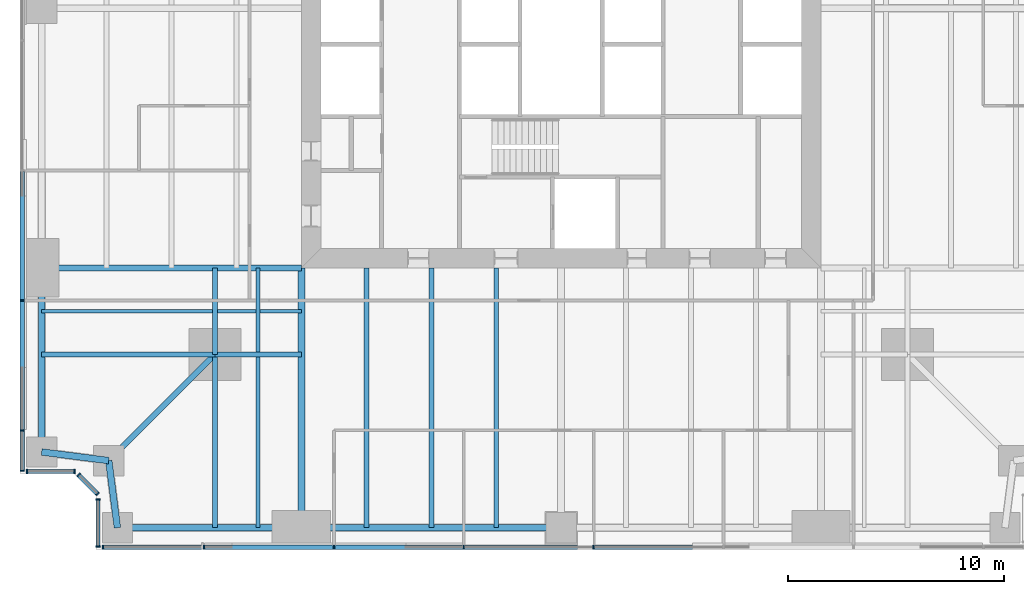
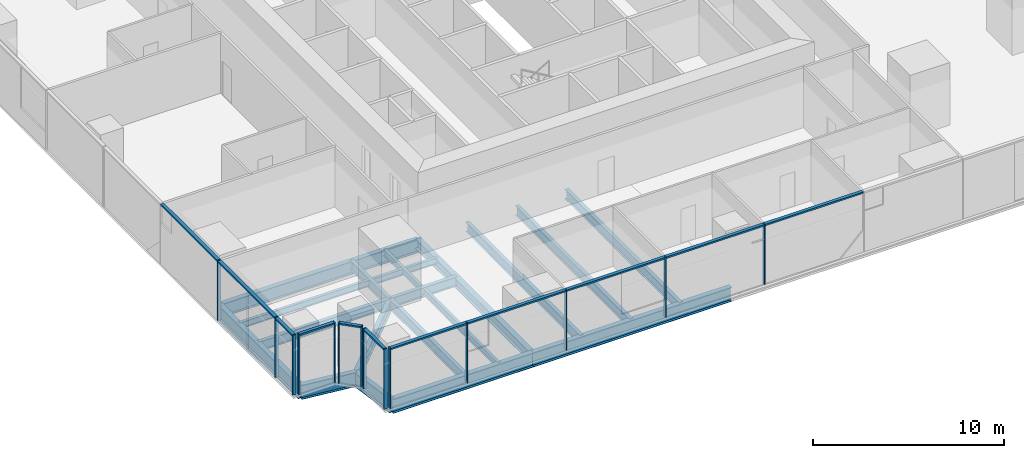
# One storey, part 2 of 16: 25 members, 20 beams, 5 elements without a shape of their own.
"""IFC4 building model written with IfcOpenShell, lengths in metres."""

from ifc_helpers import new_model, si_unit, direction, frame, origin, origin_2d, place, context, subcontext, project, spatial, rectangle, i_section, extrude, material, material_profile, profile_set, type_object, element, aggregate, save


model = new_model("IFC4")

# Units and contexts
model_context = context("Model", 3, precision=1e-05, world=origin(), true_north=direction((0.0, 1.0)))
body_context = subcontext(model_context, "Body", "Model", "MODEL_VIEW")
ifc_project = project(units=[si_unit("LENGTHUNIT", "METRE"), si_unit("AREAUNIT", "SQUARE_METRE"), si_unit("VOLUMEUNIT", "CUBIC_METRE"), si_unit("PLANEANGLEUNIT", "RADIAN"), si_unit("MASSUNIT", "GRAM", prefix="KILO")], contexts=[model_context])

# Site, building, storey
site_placement = place(None, origin())
site = spatial("IfcSite", under=ifc_project, at=site_placement, CompositionType="ELEMENT")
building_placement = place(site_placement, origin())
building = spatial("IfcBuilding", under=site, at=building_placement, Name="Fenwick Lantern Interchange", CompositionType="ELEMENT")
storey_placement = place(building_placement, frame((0.0, 0.0, 75.0)))
storey = spatial("IfcBuildingStorey", under=building, at=storey_placement, Name="L17", CompositionType="ELEMENT", Elevation=75.0)

# Beams
ifc_material_1 = material(Name="Steel ASTM A992 Grade 50", Category="steel")
ifc_material_profile_1 = material_profile(ifc_material_1, i_section(OverallWidth=0.3046875, OverallDepth=0.911865234375, WebThickness=0.015869140625, FlangeThickness=0.02392578125, at=origin_2d()), Name="W36X150")
ifc_profile_set_1 = profile_set([ifc_material_profile_1], Name="Steel ASTM A992 Grade 50")
beam_type_1 = type_object("IfcBeamType", Name="EDGE BEAM W36X150", PredefinedType="SPANDREL", material=ifc_profile_set_1)
beam_1_placement = place(storey_placement, frame((4.5, 1.0, -0.60595703125), z_axis=(1.0, 0.0, 0.0), x_axis=(0.0, 1.0, 0.0)))
element("IfcBeam", 1, at=beam_1_placement, inside=storey, type_object=beam_type_1, Name="L17/FR/S/EB1", PredefinedType="SPANDREL", context=body_context, shape_type="SweptSolid", body=[
    extrude(i_section(OverallWidth=0.3046875, OverallDepth=0.911865234375, WebThickness=0.015869140625, FlangeThickness=0.02392578125, at=origin_2d()), origin(), (0.0, 0.0, 1.0), 8.5),
])
beam_2_placement = place(storey_placement, frame((13.0, 1.0, -0.60595703125), z_axis=(1.0, 0.0, 0.0), x_axis=(0.0, 1.0, 0.0)))
element("IfcBeam", 2, at=beam_2_placement, inside=storey, type_object=beam_type_1, Name="L17/FR/S/EB2", PredefinedType="SPANDREL", context=body_context, shape_type="SweptSolid", body=[
    extrude(i_section(OverallWidth=0.3046875, OverallDepth=0.911865234375, WebThickness=0.015869140625, FlangeThickness=0.02392578125, at=origin_2d()), origin(), (0.0, 0.0, 1.0), 12.0),
])
beam_3_placement = place(storey_placement, frame((1.0, 13.0, -0.60595703125), z_axis=(0.0, -1.0, 0.0), x_axis=(1.0, 0.0, 0.0)))
element("IfcBeam", 3, at=beam_3_placement, inside=storey, type_object=beam_type_1, Name="L17/FR/W/EB4", PredefinedType="SPANDREL", context=body_context, shape_type="SweptSolid", body=[
    extrude(i_section(OverallWidth=0.3046875, OverallDepth=0.911865234375, WebThickness=0.015869140625, FlangeThickness=0.02392578125, at=origin_2d()), origin(), (0.0, 0.0, 1.0), 8.5),
])
for number, where, z_axis, x_axis, name in (
    (4, (1.0, 4.5, -0.60595703125), (0.991782342897, -0.127936641807, 0.0), (0.127936641807, 0.991782342897, 0.0), "L17/FR/W/EBR1"),
    (5, (4.10009765625, 4.10009765625, -0.60595703125), (0.127936641807, -0.991782342897, 0.0), (0.991782342897, 0.127936641807, 0.0), "L17/FR/W/EBR2"),
):
    element("IfcBeam", number, at=place(storey_placement, frame(where, z_axis=z_axis, x_axis=x_axis)), inside=storey, type_object=beam_type_1, Name=name, PredefinedType="SPANDREL", context=body_context, shape_type="SweptSolid", body=[
        extrude(i_section(OverallWidth=0.3046875, OverallDepth=0.911865234375, WebThickness=0.015869140625, FlangeThickness=0.02392578125, at=origin_2d()), origin(), (0.0, 0.0, 1.0), 3.125732421875),
    ])
ifc_material_profile_2 = material_profile(ifc_material_1, i_section(OverallWidth=0.22900390625, OverallDepth=0.612060546875, WebThickness=0.011962890625, FlangeThickness=0.01953125, at=origin_2d()), Name="W24X84")
ifc_profile_set_2 = profile_set([ifc_material_profile_2], Name="Steel ASTM A992 Grade 50")
beam_type_2 = type_object("IfcBeamType", Name="FLOOR BEAM W24X84", PredefinedType="BEAM", material=ifc_profile_set_2)
for number, where, z_axis, x_axis, name in (
    (6, (16.0, 1.0, -0.4560546875), (0.0, 1.0, 0.0), (-1.0, 0.0, 0.0), "L17/FR/S/R02"),
    (7, (19.0, 1.0, -0.4560546875), (0.0, 1.0, 0.0), (-1.0, 0.0, 0.0), "L17/FR/S/R03"),
    (8, (22.0, 1.0, -0.4560546875), (0.0, 1.0, 0.0), (-1.0, 0.0, 0.0), "L17/FR/S/R04"),
):
    element("IfcBeam", number, at=place(storey_placement, frame(where, z_axis=z_axis, x_axis=x_axis)), inside=storey, type_object=beam_type_2, Name=name, PredefinedType="BEAM", context=body_context, shape_type="SweptSolid", body=[
        extrude(i_section(OverallWidth=0.22900390625, OverallDepth=0.612060546875, WebThickness=0.011962890625, FlangeThickness=0.01953125, at=origin_2d()), origin(), (0.0, 0.0, 1.0), 12.0),
    ])
ifc_material_profile_3 = material_profile(ifc_material_1, i_section(OverallWidth=0.177734375, OverallDepth=0.406494140625, WebThickness=0.0078125, FlangeThickness=0.012939453125, at=origin_2d()), Name="W16X40")
ifc_profile_set_3 = profile_set([ifc_material_profile_3], Name="Steel ASTM A992 Grade 50")
beam_type_3 = type_object("IfcBeamType", Name="INFILL BEAM W16X40", PredefinedType="JOIST", material=ifc_profile_set_3)
beam_4_placement = place(storey_placement, frame((11.0, 1.0, -0.353271484375), z_axis=(0.0, 1.0, 0.0), x_axis=(-1.0, 0.0, 0.0)))
element("IfcBeam", 9, at=beam_4_placement, inside=storey, type_object=beam_type_3, Name="L17/FR/S/J1", PredefinedType="JOIST", context=body_context, shape_type="SweptSolid", body=[
    extrude(i_section(OverallWidth=0.177734375, OverallDepth=0.406494140625, WebThickness=0.0078125, FlangeThickness=0.012939453125, at=origin_2d()), origin(), (0.0, 0.0, 1.0), 7.885498046875),
])
beam_5_placement = place(storey_placement, frame((11.0, 9.114501953125, -0.353271484375), z_axis=(0.0, 1.0, 0.0), x_axis=(-1.0, 0.0, 0.0)))
element("IfcBeam", 10, at=beam_5_placement, inside=storey, type_object=beam_type_3, Name="L17/FR/S/J2", PredefinedType="JOIST", context=body_context, shape_type="SweptSolid", body=[
    extrude(i_section(OverallWidth=0.177734375, OverallDepth=0.406494140625, WebThickness=0.0078125, FlangeThickness=0.012939453125, at=origin_2d()), origin(), (0.0, 0.0, 1.0), 3.885498046875),
])
beam_6_placement = place(storey_placement, frame((1.0, 11.0, -0.353271484375), z_axis=(1.0, 0.0, 0.0), x_axis=(0.0, 1.0, 0.0)))
element("IfcBeam", 11, at=beam_6_placement, inside=storey, type_object=beam_type_3, Name="L17/FR/S/J3", PredefinedType="JOIST", context=body_context, shape_type="SweptSolid", body=[
    extrude(i_section(OverallWidth=0.177734375, OverallDepth=0.406494140625, WebThickness=0.0078125, FlangeThickness=0.012939453125, at=origin_2d()), origin(), (0.0, 0.0, 1.0), 7.885498046875),
])
beam_7_placement = place(storey_placement, frame((9.114501953125, 11.0, -0.353271484375), z_axis=(1.0, 0.0, 0.0), x_axis=(0.0, 1.0, 0.0)))
element("IfcBeam", 12, at=beam_7_placement, inside=storey, type_object=beam_type_3, Name="L17/FR/S/J4", PredefinedType="JOIST", context=body_context, shape_type="SweptSolid", body=[
    extrude(i_section(OverallWidth=0.177734375, OverallDepth=0.406494140625, WebThickness=0.0078125, FlangeThickness=0.012939453125, at=origin_2d()), origin(), (0.0, 0.0, 1.0), 1.796630859375),
])
beam_8_placement = place(storey_placement, frame((11.0888671875, 11.0, -0.353271484375), z_axis=(1.0, 0.0, 0.0), x_axis=(0.0, 1.0, 0.0)))
element("IfcBeam", 13, at=beam_8_placement, inside=storey, type_object=beam_type_3, Name="L17/FR/S/J5", PredefinedType="JOIST", context=body_context, shape_type="SweptSolid", body=[
    extrude(i_section(OverallWidth=0.177734375, OverallDepth=0.406494140625, WebThickness=0.0078125, FlangeThickness=0.012939453125, at=origin_2d()), origin(), (0.0, 0.0, 1.0), 1.9111328125),
])
ifc_material_profile_4 = material_profile(ifc_material_1, i_section(OverallWidth=0.22900390625, OverallDepth=0.612060546875, WebThickness=0.011962890625, FlangeThickness=0.01953125, at=origin_2d()), Name="W24X84")
ifc_profile_set_4 = profile_set([ifc_material_profile_4], Name="Steel ASTM A992 Grade 50")
beam_type_4 = type_object("IfcBeamType", Name="MEGA COLUMN BEAM W24X84", PredefinedType="BEAM", material=ifc_profile_set_4)
for number, where, z_axis, x_axis, name in (
    (14, (9.0, 9.0, -0.4560546875), (0.0, -1.0, 0.0), (1.0, 0.0, 0.0), "L17/FR/S/MB1"),
    (15, (9.0, 9.0, -0.4560546875), (-1.0, 0.0, 0.0), (0.0, -1.0, 0.0), "L17/FR/S/MB2"),
):
    element("IfcBeam", number, at=place(storey_placement, frame(where, z_axis=z_axis, x_axis=x_axis)), inside=storey, type_object=beam_type_4, Name=name, PredefinedType="BEAM", context=body_context, shape_type="SweptSolid", body=[
        extrude(i_section(OverallWidth=0.22900390625, OverallDepth=0.612060546875, WebThickness=0.011962890625, FlangeThickness=0.01953125, at=origin_2d()), origin(), (0.0, 0.0, 1.0), 8.0),
    ])
for number, where, z_axis, x_axis, name in (
    (16, (9.0, 9.0, -0.4560546875), (1.0, 0.0, 0.0), (0.0, 1.0, 0.0), "L17/FR/S/MB3"),
    (17, (9.0, 9.0, -0.4560546875), (0.0, 1.0, 0.0), (-1.0, 0.0, 0.0), "L17/FR/S/MB4"),
):
    element("IfcBeam", number, at=place(storey_placement, frame(where, z_axis=z_axis, x_axis=x_axis)), inside=storey, type_object=beam_type_4, Name=name, PredefinedType="BEAM", context=body_context, shape_type="SweptSolid", body=[
        extrude(i_section(OverallWidth=0.22900390625, OverallDepth=0.612060546875, WebThickness=0.011962890625, FlangeThickness=0.01953125, at=origin_2d()), origin(), (0.0, 0.0, 1.0), 4.0),
    ])
ifc_material_profile_5 = material_profile(ifc_material_1, i_section(OverallWidth=0.32763671875, OverallDepth=0.622314453125, WebThickness=0.015380859375, FlangeThickness=0.0244140625, at=origin_2d()), Name="W24X131")
ifc_profile_set_5 = profile_set([ifc_material_profile_5], Name="Steel ASTM A992 Grade 50")
beam_type_5 = type_object("IfcBeamType", Name="MOMENT-CONNECTED GIRDER W24X131", PredefinedType="BEAM", material=ifc_profile_set_5)
beam_9_placement = place(storey_placement, frame((13.0, 1.0, -0.461181640625), z_axis=(0.0, 1.0, 0.0), x_axis=(-1.0, 0.0, 0.0)))
element("IfcBeam", 18, at=beam_9_placement, inside=storey, type_object=beam_type_5, Name="L17/FR/S/R01", PredefinedType="BEAM", context=body_context, shape_type="SweptSolid", body=[
    extrude(i_section(OverallWidth=0.32763671875, OverallDepth=0.622314453125, WebThickness=0.015380859375, FlangeThickness=0.0244140625, at=origin_2d()), origin(), (0.0, 0.0, 1.0), 12.0),
])
ifc_material_profile_6 = material_profile(ifc_material_1, i_section(OverallWidth=0.2919921875, OverallDepth=0.845703125, WebThickness=0.015380859375, FlangeThickness=0.0244140625, at=origin_2d()), Name="W33X141")
ifc_profile_set_6 = profile_set([ifc_material_profile_6], Name="Steel ASTM A992 Grade 50")
beam_type_6 = type_object("IfcBeamType", Name="MOMENT-CONNECTED GIRDER W33X141", PredefinedType="BEAM", material=ifc_profile_set_6)
beam_10_placement = place(storey_placement, frame((1.0, 13.0, -0.572998046875), z_axis=(1.0, 0.0, 0.0), x_axis=(0.0, 1.0, 0.0)))
element("IfcBeam", 19, at=beam_10_placement, inside=storey, type_object=beam_type_6, Name="L17/FR/W/R03", PredefinedType="BEAM", context=body_context, shape_type="SweptSolid", body=[
    extrude(i_section(OverallWidth=0.2919921875, OverallDepth=0.845703125, WebThickness=0.015380859375, FlangeThickness=0.0244140625, at=origin_2d()), origin(), (0.0, 0.0, 1.0), 12.0),
])
ifc_material_profile_7 = material_profile(ifc_material_1, i_section(OverallWidth=0.2666015625, OverallDepth=0.7568359375, WebThickness=0.013916015625, FlangeThickness=0.019287109375, at=origin_2d()), Name="W30X108")
ifc_profile_set_7 = profile_set([ifc_material_profile_7], Name="Steel ASTM A992 Grade 50")
beam_type_7 = type_object("IfcBeamType", Name="NOTCH BEAM W30X108", PredefinedType="BEAM", material=ifc_profile_set_7)
beam_11_placement = place(storey_placement, frame((9.0, 9.0, -0.528564453125), z_axis=(-0.707106781187, -0.707106781187, 0.0), x_axis=(0.707106781187, -0.707106781187, 0.0)))
element("IfcBeam", 20, at=beam_11_placement, inside=storey, type_object=beam_type_7, Name="L17/FR/S/TG", PredefinedType="BEAM", context=body_context, shape_type="SweptSolid", body=[
    extrude(i_section(OverallWidth=0.2666015625, OverallDepth=0.7568359375, WebThickness=0.013916015625, FlangeThickness=0.019287109375, at=origin_2d()), origin(), (0.0, 0.0, 1.0), 6.929443359375),
])

# Curtain wall, members
ifc_material_2 = material(Name="Aluminium curtain wall frame", Category="aluminium")
curtain_wall_type = type_object("IfcCurtainWallType", Name="OFFICE CURTAIN WALL", PredefinedType="USERDEFINED", material=ifc_material_2)
curtain_wall_1_placement = place(storey_placement, origin())
curtain_wall_1 = element("IfcCurtainWall", 21, at=curtain_wall_1_placement, inside=storey, type_object=curtain_wall_type, Name="Office curtain wall 01", ObjectType="OFFICE CURTAIN WALL", PredefinedType="USERDEFINED")
ifc_material_3 = material(Name="Aluminium extrusion", Category="aluminium")
ifc_material_profile_8 = material_profile(ifc_material_3, rectangle(XDim=0.199951171875, YDim=0.06494140625, at=origin_2d()), Name="OFFICE CURTAIN WALL MULLION 65 X 200")
ifc_profile_set_8 = profile_set([ifc_material_profile_8], Name="Aluminium extrusion")
member_type_1 = type_object("IfcMemberType", Name="OFFICE CURTAIN WALL MULLION 65 X 200", PredefinedType="MULLION", material=ifc_profile_set_8)
member_1_placement = place(storey_placement, frame((3.83251953125, 0.10009765625, 0.0), z_axis=(0.0, 0.0, 1.0), x_axis=(0.0, 1.0, 0.0)))
member_1 = element("IfcMember", 22, at=member_1_placement, type_object=member_type_1, Name="L17/CW/01/M00", PredefinedType="MULLION", context=body_context, shape_type="SweptSolid", body=[
    extrude(rectangle(XDim=0.199951171875, YDim=0.06494140625, at=origin_2d()), origin(), (0.0, 0.0, 1.0), 3.85009765625),
])
member_2_placement = place(storey_placement, frame((8.5, 0.10009765625, 0.0), z_axis=(0.0, 0.0, 1.0), x_axis=(0.0, 1.0, 0.0)))
member_2 = element("IfcMember", 23, at=member_2_placement, type_object=member_type_1, Name="L17/CW/01/M01", PredefinedType="MULLION", context=body_context, shape_type="SweptSolid", body=[
    extrude(rectangle(XDim=0.199951171875, YDim=0.06494140625, at=origin_2d()), origin(), (0.0, 0.0, 1.0), 3.85009765625),
])
member_3_placement = place(storey_placement, frame((14.5, 0.10009765625, 0.0), z_axis=(0.0, 0.0, 1.0), x_axis=(0.0, 1.0, 0.0)))
member_3 = element("IfcMember", 24, at=member_3_placement, type_object=member_type_1, Name="L17/CW/01/M02", PredefinedType="MULLION", context=body_context, shape_type="SweptSolid", body=[
    extrude(rectangle(XDim=0.199951171875, YDim=0.06494140625, at=origin_2d()), origin(), (0.0, 0.0, 1.0), 3.85009765625),
])
member_4_placement = place(storey_placement, frame((20.5, 0.10009765625, 0.0), z_axis=(0.0, 0.0, 1.0), x_axis=(0.0, 1.0, 0.0)))
member_4 = element("IfcMember", 25, at=member_4_placement, type_object=member_type_1, Name="L17/CW/01/M03", PredefinedType="MULLION", context=body_context, shape_type="SweptSolid", body=[
    extrude(rectangle(XDim=0.199951171875, YDim=0.06494140625, at=origin_2d()), origin(), (0.0, 0.0, 1.0), 3.85009765625),
])
member_5_placement = place(storey_placement, frame((26.5, 0.10009765625, 0.0), z_axis=(0.0, 0.0, 1.0), x_axis=(0.0, 1.0, 0.0)))
member_5 = element("IfcMember", 26, at=member_5_placement, type_object=member_type_1, Name="L17/CW/01/M04", PredefinedType="MULLION", context=body_context, shape_type="SweptSolid", body=[
    extrude(rectangle(XDim=0.199951171875, YDim=0.06494140625, at=origin_2d()), origin(), (0.0, 0.0, 1.0), 3.85009765625),
])

curtain_wall_2_placement = place(storey_placement, origin())
curtain_wall_2 = element("IfcCurtainWall", 27, at=curtain_wall_2_placement, inside=storey, type_object=curtain_wall_type, Name="Office curtain wall 13", ObjectType="OFFICE CURTAIN WALL", PredefinedType="USERDEFINED")
member_6_placement = place(storey_placement, frame((0.10009765625, 11.5, 0.0), z_axis=(0.0, 0.0, 1.0), x_axis=(1.0, 0.0, 0.0)))
member_6 = element("IfcMember", 28, at=member_6_placement, type_object=member_type_1, Name="L17/CW/13/M06", PredefinedType="MULLION", context=body_context, shape_type="SweptSolid", body=[
    extrude(rectangle(XDim=0.199951171875, YDim=0.06494140625, at=origin_2d()), origin(), (0.0, 0.0, 1.0), 3.85009765625),
])
member_7_placement = place(storey_placement, frame((0.10009765625, 5.5, 0.0), z_axis=(0.0, 0.0, 1.0), x_axis=(1.0, 0.0, 0.0)))
member_7 = element("IfcMember", 29, at=member_7_placement, type_object=member_type_1, Name="L17/CW/13/M07", PredefinedType="MULLION", context=body_context, shape_type="SweptSolid", body=[
    extrude(rectangle(XDim=0.199951171875, YDim=0.06494140625, at=origin_2d()), origin(), (0.0, 0.0, 1.0), 3.85009765625),
])
member_8_placement = place(storey_placement, frame((0.10009765625, 3.632568359375, 0.0), z_axis=(0.0, 0.0, 1.0), x_axis=(1.0, 0.0, 0.0)))
member_8 = element("IfcMember", 30, at=member_8_placement, type_object=member_type_1, Name="L17/CW/13/M08", PredefinedType="MULLION", context=body_context, shape_type="SweptSolid", body=[
    extrude(rectangle(XDim=0.199951171875, YDim=0.06494140625, at=origin_2d()), origin(), (0.0, 0.0, 1.0), 3.85009765625),
])

curtain_wall_3_placement = place(storey_placement, origin())
curtain_wall_3 = element("IfcCurtainWall", 31, at=curtain_wall_3_placement, inside=storey, type_object=curtain_wall_type, Name="Office curtain wall 14", ObjectType="OFFICE CURTAIN WALL", PredefinedType="USERDEFINED")
member_9_placement = place(storey_placement, frame((0.33251953125, 3.60009765625, 0.0), z_axis=(0.0, 0.0, 1.0), x_axis=(0.0, 1.0, 0.0)))
member_9 = element("IfcMember", 32, at=member_9_placement, type_object=member_type_1, Name="L17/CW/14/M00", PredefinedType="MULLION", context=body_context, shape_type="SweptSolid", body=[
    extrude(rectangle(XDim=0.199951171875, YDim=0.06494140625, at=origin_2d()), origin(), (0.0, 0.0, 1.0), 3.85009765625),
])
member_10_placement = place(storey_placement, frame((2.509033203125, 3.60009765625, 0.0), z_axis=(0.0, 0.0, 1.0), x_axis=(0.0, 1.0, 0.0)))
member_10 = element("IfcMember", 33, at=member_10_placement, type_object=member_type_1, Name="L17/CW/14/M01", PredefinedType="MULLION", context=body_context, shape_type="SweptSolid", body=[
    extrude(rectangle(XDim=0.199951171875, YDim=0.06494140625, at=origin_2d()), origin(), (0.0, 0.0, 1.0), 3.85009765625),
])

curtain_wall_4_placement = place(storey_placement, origin())
curtain_wall_4 = element("IfcCurtainWall", 34, at=curtain_wall_4_placement, inside=storey, type_object=curtain_wall_type, Name="Office curtain wall 15", ObjectType="OFFICE CURTAIN WALL", PredefinedType="USERDEFINED")
member_11_placement = place(storey_placement, frame((2.705810546875, 3.435546875, 0.0), z_axis=(0.0, 0.0, 1.0), x_axis=(0.707106781187, 0.707106781187, 0.0)))
member_11 = element("IfcMember", 35, at=member_11_placement, type_object=member_type_1, Name="L17/CW/15/M00", PredefinedType="MULLION", context=body_context, shape_type="SweptSolid", body=[
    extrude(rectangle(XDim=0.199951171875, YDim=0.06494140625, at=origin_2d()), origin(), (0.0, 0.0, 1.0), 3.85009765625),
])
member_12_placement = place(storey_placement, frame((3.576904296875, 2.564453125, 0.0), z_axis=(0.0, 0.0, 1.0), x_axis=(0.707106781187, 0.707106781187, 0.0)))
member_12 = element("IfcMember", 36, at=member_12_placement, type_object=member_type_1, Name="L17/CW/15/M01", PredefinedType="MULLION", context=body_context, shape_type="SweptSolid", body=[
    extrude(rectangle(XDim=0.199951171875, YDim=0.06494140625, at=origin_2d()), origin(), (0.0, 0.0, 1.0), 3.85009765625),
])

curtain_wall_5_placement = place(storey_placement, origin())
curtain_wall_5 = element("IfcCurtainWall", 37, at=curtain_wall_5_placement, inside=storey, type_object=curtain_wall_type, Name="Office curtain wall 16", ObjectType="OFFICE CURTAIN WALL", PredefinedType="USERDEFINED")
member_13_placement = place(storey_placement, frame((3.60009765625, 2.308837890625, 0.0), z_axis=(0.0, 0.0, 1.0), x_axis=(1.0, 0.0, 0.0)))
member_13 = element("IfcMember", 38, at=member_13_placement, type_object=member_type_1, Name="L17/CW/16/M00", PredefinedType="MULLION", context=body_context, shape_type="SweptSolid", body=[
    extrude(rectangle(XDim=0.199951171875, YDim=0.06494140625, at=origin_2d()), origin(), (0.0, 0.0, 1.0), 3.85009765625),
])
member_14_placement = place(storey_placement, frame((3.60009765625, 0.132568359375, 0.0), z_axis=(0.0, 0.0, 1.0), x_axis=(1.0, 0.0, 0.0)))
member_14 = element("IfcMember", 39, at=member_14_placement, type_object=member_type_1, Name="L17/CW/16/M01", PredefinedType="MULLION", context=body_context, shape_type="SweptSolid", body=[
    extrude(rectangle(XDim=0.199951171875, YDim=0.06494140625, at=origin_2d()), origin(), (0.0, 0.0, 1.0), 3.85009765625),
])

# Member
ifc_material_profile_9 = material_profile(ifc_material_3, rectangle(XDim=0.199951171875, YDim=0.10009765625, at=origin_2d()), Name="OFFICE CURTAIN WALL TRANSOM 100 X 200")
ifc_profile_set_9 = profile_set([ifc_material_profile_9], Name="Aluminium extrusion")
member_type_2 = type_object("IfcMemberType", Name="OFFICE CURTAIN WALL TRANSOM 100 X 200", PredefinedType="MULLION", material=ifc_profile_set_9)
member_15_placement = place(storey_placement, frame((3.864990234375, 0.10009765625, 3.800048828125), z_axis=(1.0, 0.0, 0.0), x_axis=(0.0, 1.0, 0.0)))
member_15 = element("IfcMember", 40, at=member_15_placement, type_object=member_type_2, Name="L17/CW/01/T00", PredefinedType="MULLION", context=body_context, shape_type="SweptSolid", body=[
    extrude(rectangle(XDim=0.199951171875, YDim=0.10009765625, at=origin_2d()), origin(), (0.0, 0.0, 1.0), 4.6025390625),
])

member_16_placement = place(storey_placement, frame((8.532470703125, 0.10009765625, 3.800048828125), z_axis=(1.0, 0.0, 0.0), x_axis=(0.0, 1.0, 0.0)))
member_16 = element("IfcMember", 41, at=member_16_placement, type_object=member_type_2, Name="L17/CW/01/T01", PredefinedType="MULLION", context=body_context, shape_type="SweptSolid", body=[
    extrude(rectangle(XDim=0.199951171875, YDim=0.10009765625, at=origin_2d()), origin(), (0.0, 0.0, 1.0), 5.93505859375),
])

member_17_placement = place(storey_placement, frame((14.532470703125, 0.10009765625, 3.800048828125), z_axis=(1.0, 0.0, 0.0), x_axis=(0.0, 1.0, 0.0)))
member_17 = element("IfcMember", 42, at=member_17_placement, type_object=member_type_2, Name="L17/CW/01/T02", PredefinedType="MULLION", context=body_context, shape_type="SweptSolid", body=[
    extrude(rectangle(XDim=0.199951171875, YDim=0.10009765625, at=origin_2d()), origin(), (0.0, 0.0, 1.0), 5.93505859375),
])

member_18_placement = place(storey_placement, frame((20.532470703125, 0.10009765625, 3.800048828125), z_axis=(1.0, 0.0, 0.0), x_axis=(0.0, 1.0, 0.0)))
member_18 = element("IfcMember", 43, at=member_18_placement, type_object=member_type_2, Name="L17/CW/01/T03", PredefinedType="MULLION", context=body_context, shape_type="SweptSolid", body=[
    extrude(rectangle(XDim=0.199951171875, YDim=0.10009765625, at=origin_2d()), origin(), (0.0, 0.0, 1.0), 5.93505859375),
])

member_19_placement = place(storey_placement, frame((26.532470703125, 0.10009765625, 3.800048828125), z_axis=(1.0, 0.0, 0.0), x_axis=(0.0, 1.0, 0.0)))
member_19 = element("IfcMember", 44, at=member_19_placement, type_object=member_type_2, Name="L17/CW/01/T04", PredefinedType="MULLION", context=body_context, shape_type="SweptSolid", body=[
    extrude(rectangle(XDim=0.199951171875, YDim=0.10009765625, at=origin_2d()), origin(), (0.0, 0.0, 1.0), 5.93505859375),
])

aggregate(curtain_wall_1, [member_1, member_2, member_3, member_4, member_5, member_15, member_16, member_17, member_18, member_19])

member_20_placement = place(storey_placement, frame((0.10009765625, 17.467529296875, 3.800048828125), z_axis=(0.0, -1.0, 0.0), x_axis=(1.0, 0.0, 0.0)))
member_20 = element("IfcMember", 45, at=member_20_placement, type_object=member_type_2, Name="L17/CW/13/T05", PredefinedType="MULLION", context=body_context, shape_type="SweptSolid", body=[
    extrude(rectangle(XDim=0.199951171875, YDim=0.10009765625, at=origin_2d()), origin(), (0.0, 0.0, 1.0), 5.93505859375),
])

member_21_placement = place(storey_placement, frame((0.10009765625, 11.467529296875, 3.800048828125), z_axis=(0.0, -1.0, 0.0), x_axis=(1.0, 0.0, 0.0)))
member_21 = element("IfcMember", 46, at=member_21_placement, type_object=member_type_2, Name="L17/CW/13/T06", PredefinedType="MULLION", context=body_context, shape_type="SweptSolid", body=[
    extrude(rectangle(XDim=0.199951171875, YDim=0.10009765625, at=origin_2d()), origin(), (0.0, 0.0, 1.0), 5.93505859375),
])

member_22_placement = place(storey_placement, frame((0.10009765625, 5.467529296875, 3.800048828125), z_axis=(0.0, -1.0, 0.0), x_axis=(1.0, 0.0, 0.0)))
member_22 = element("IfcMember", 47, at=member_22_placement, type_object=member_type_2, Name="L17/CW/13/T07", PredefinedType="MULLION", context=body_context, shape_type="SweptSolid", body=[
    extrude(rectangle(XDim=0.199951171875, YDim=0.10009765625, at=origin_2d()), origin(), (0.0, 0.0, 1.0), 1.802490234375),
])

aggregate(curtain_wall_2, [member_6, member_7, member_8, member_20, member_21, member_22])

member_23_placement = place(storey_placement, frame((0.364990234375, 3.60009765625, 3.800048828125), z_axis=(1.0, 0.0, 0.0), x_axis=(0.0, 1.0, 0.0)))
member_23 = element("IfcMember", 48, at=member_23_placement, type_object=member_type_2, Name="L17/CW/14/T00", PredefinedType="MULLION", context=body_context, shape_type="SweptSolid", body=[
    extrude(rectangle(XDim=0.199951171875, YDim=0.10009765625, at=origin_2d()), origin(), (0.0, 0.0, 1.0), 2.111328125),
])

aggregate(curtain_wall_3, [member_9, member_10, member_23])

member_24_placement = place(storey_placement, frame((2.728759765625, 3.41259765625, 3.800048828125), z_axis=(0.707106781187, -0.707106781187, 0.0), x_axis=(0.707106781187, 0.707106781187, 0.0)))
member_24 = element("IfcMember", 49, at=member_24_placement, type_object=member_type_2, Name="L17/CW/15/T00", PredefinedType="MULLION", context=body_context, shape_type="SweptSolid", body=[
    extrude(rectangle(XDim=0.199951171875, YDim=0.10009765625, at=origin_2d()), origin(), (0.0, 0.0, 1.0), 1.1669921875),
])

aggregate(curtain_wall_4, [member_11, member_12, member_24])

member_25_placement = place(storey_placement, frame((3.60009765625, 2.2763671875, 3.800048828125), z_axis=(0.0, -1.0, 0.0), x_axis=(1.0, 0.0, 0.0)))
member_25 = element("IfcMember", 50, at=member_25_placement, type_object=member_type_2, Name="L17/CW/16/T00", PredefinedType="MULLION", context=body_context, shape_type="SweptSolid", body=[
    extrude(rectangle(XDim=0.199951171875, YDim=0.10009765625, at=origin_2d()), origin(), (0.0, 0.0, 1.0), 2.111328125),
])

aggregate(curtain_wall_5, [member_13, member_14, member_25])

save(model, "model.ifc")
